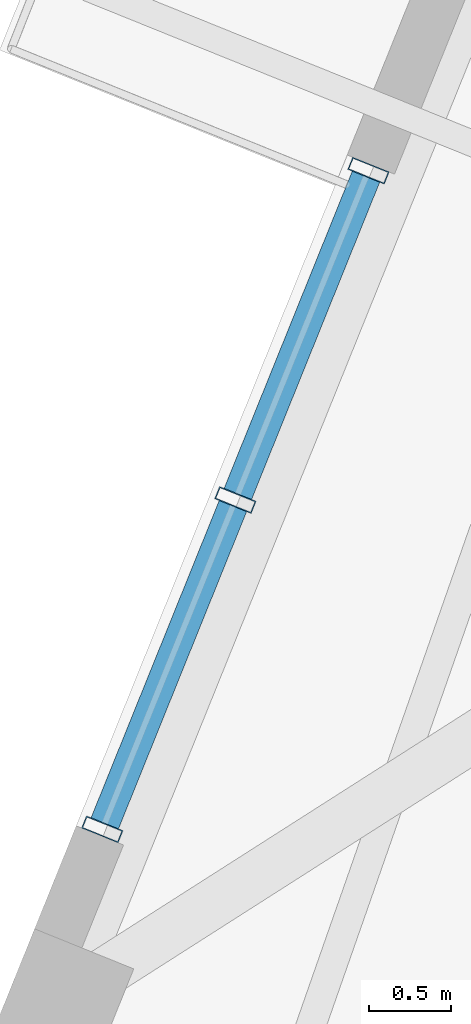
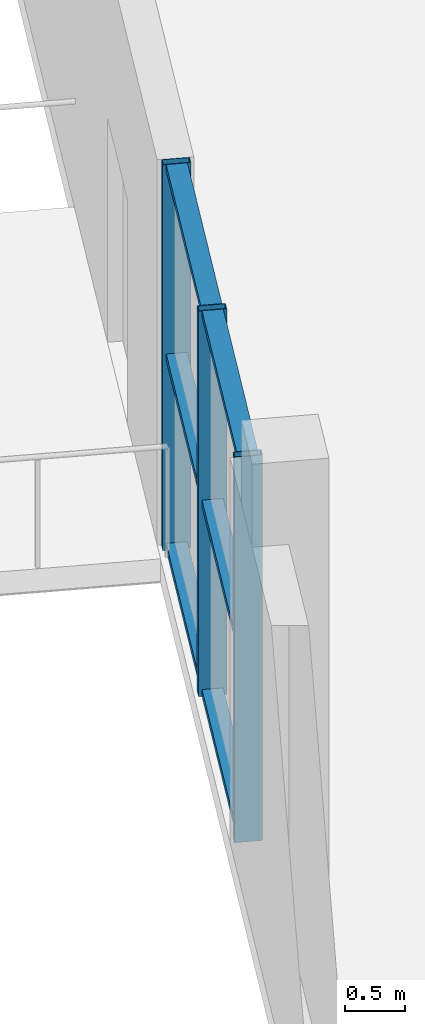
# One storey, part 4 of 12: 9 members, 1 element without a shape of its own.
"""IFC4 building model written with IfcOpenShell, lengths in metres."""

from ifc_helpers import new_model, si_unit, direction, frame, origin, origin_2d, place, context, subcontext, project, spatial, hollow_rectangle, extrude, source, transform, mapped, material, layer, layer_set, material_profile, profile_set, type_object, element, aggregate, save


model = new_model("IFC4")

# Units and contexts
model_context = context("Model", 3, precision=1e-05, world=origin(), true_north=direction((0.0, 1.0)))
body_context = subcontext(model_context, "Body", "Model", "MODEL_VIEW")
ifc_project = project(units=[si_unit("LENGTHUNIT", "METRE"), si_unit("AREAUNIT", "SQUARE_METRE"), si_unit("VOLUMEUNIT", "CUBIC_METRE"), si_unit("PLANEANGLEUNIT", "RADIAN"), si_unit("MASSUNIT", "GRAM", prefix="KILO"), si_unit("THERMODYNAMICTEMPERATUREUNIT", "KELVIN")], contexts=[model_context])

# Site, building, storey
site_placement = place(None, origin())
site = spatial("IfcSite", under=ifc_project, at=site_placement, CompositionType="ELEMENT")
building_placement = place(site_placement, origin())
building = spatial("IfcBuilding", under=site, at=building_placement, Name="Kosmvard Interchange Tower", CompositionType="ELEMENT")
storey_placement = place(building_placement, frame((0.0, 0.0, 312.0)))
storey = spatial("IfcBuildingStorey", under=building, at=storey_placement, Name="L77", CompositionType="ELEMENT", Elevation=312.0)

# Curtain wall, members
ifc_material = material(Name="Architectural anodised aluminium", Category="aluminium")
ifc_layer = layer(ifc_material, 0.239990234375, Name="Architectural anodised aluminium")
ifc_layer_set = layer_set([ifc_layer], Name="Architectural anodised aluminium")
curtain_wall_type = type_object("IfcCurtainWallType", Name="CW-5 Public Observation Panorama Curtain Wall", PredefinedType="NOTDEFINED", material=ifc_layer_set)
curtain_wall_placement = place(storey_placement, origin())
curtain_wall = element("IfcCurtainWall", 1, at=curtain_wall_placement, inside=storey, type_object=curtain_wall_type, Name="L77 Observation Panorama Curtain Wall N", PredefinedType="NOTDEFINED")
ifc_material_profile_1 = material_profile(ifc_material, hollow_rectangle(XDim=0.239990234375, YDim=0.080078125, WallThickness=0.006103515625, at=origin_2d()), Name="CWM 240x80x6")
ifc_profile_set_1 = profile_set([ifc_material_profile_1], Name="Architectural anodised aluminium")
member_type_1 = type_object("IfcMemberType", Name="Lantern & Observation CW Mullion 240x80 Aluminium", PredefinedType="MULLION", material=ifc_profile_set_1)
shared_shape_1 = source(origin(), body_context, "Body", "SweptSolid", [
    extrude(hollow_rectangle(XDim=0.239990234375, YDim=0.080078125, WallThickness=0.006103515625, at=origin_2d()), origin(), (0.0, 0.0, 1.0), 3.949951171875),
])
member_1_placement = place(storey_placement, frame((-18.7099609375, 13.34033203125, 0.0), z_axis=(0.0, 0.0, 1.0), x_axis=(0.927183856711, -0.374606588108, 0.0)))
member_1 = element("IfcMember", 2, at=member_1_placement, type_object=member_type_1, Name="CW-5 mullion 1", PredefinedType="MULLION", context=body_context, shape_type="MappedRepresentation", body=[
    mapped(shared_shape_1, transform((0.0, 0.0, 0.0), scale=1.0)),
])
member_2_placement = place(storey_placement, frame((-19.519287109375, 11.337646484375, 0.0), z_axis=(0.0, 0.0, 1.0), x_axis=(0.927183856711, -0.374606588108, 0.0)))
member_2 = element("IfcMember", 3, at=member_2_placement, type_object=member_type_1, Name="CW-5 mullion 2", PredefinedType="MULLION", context=body_context, shape_type="MappedRepresentation", body=[
    mapped(shared_shape_1, transform((0.0, 0.0, 0.0), scale=1.0)),
])
member_3_placement = place(storey_placement, frame((-20.328369140625, 9.3349609375, 0.0), z_axis=(0.0, 0.0, 1.0), x_axis=(0.927183856711, -0.374606588108, 0.0)))
member_3 = element("IfcMember", 4, at=member_3_placement, type_object=member_type_1, Name="CW-5 mullion 3", PredefinedType="MULLION", context=body_context, shape_type="MappedRepresentation", body=[
    mapped(shared_shape_1, transform((0.0, 0.0, 0.0), scale=1.0)),
])
ifc_material_profile_2 = material_profile(ifc_material, hollow_rectangle(XDim=0.179931640625, YDim=0.070068359375, WallThickness=0.0048828125, at=origin_2d()), Name="CWT 180x70x5")
ifc_profile_set_2 = profile_set([ifc_material_profile_2], Name="Architectural anodised aluminium")
member_type_2 = type_object("IfcMemberType", Name="Heavy Lantern CW Transom 180x70 Aluminium", PredefinedType="USERDEFINED", material=ifc_profile_set_2)
shared_shape_2 = source(origin(), body_context, "Body", "SweptSolid", [
    extrude(hollow_rectangle(XDim=0.179931640625, YDim=0.070068359375, WallThickness=0.0048828125, at=origin_2d()), origin(), (0.0, 0.0, 1.0), 2.079833984375),
])
member_4_placement = place(storey_placement, frame((-18.72509765625, 13.30322265625, 0.034912109375), z_axis=(-0.374565910492, -0.927200290497, 0.0), x_axis=(0.927200290497, -0.374565910492, 0.0)))
member_4 = element("IfcMember", 5, at=member_4_placement, type_object=member_type_2, Name="CW-5 transom 1.1", ObjectType="TRANSOM", PredefinedType="USERDEFINED", context=body_context, shape_type="MappedRepresentation", body=[
    mapped(shared_shape_2, transform((0.0, 0.0, 0.0), scale=1.0)),
])
member_5_placement = place(storey_placement, frame((-18.72509765625, 13.30322265625, 1.97509765625), z_axis=(-0.374565910492, -0.927200290497, 0.0), x_axis=(0.927200290497, -0.374565910492, 0.0)))
member_5 = element("IfcMember", 6, at=member_5_placement, type_object=member_type_2, Name="CW-5 transom 1.2", ObjectType="TRANSOM", PredefinedType="USERDEFINED", context=body_context, shape_type="MappedRepresentation", body=[
    mapped(shared_shape_2, transform((0.0, 0.0, 0.0), scale=1.0)),
])
member_6_placement = place(storey_placement, frame((-18.72509765625, 13.30322265625, 3.9150390625), z_axis=(-0.374565910492, -0.927200290497, 0.0), x_axis=(0.927200290497, -0.374565910492, 0.0)))
member_6 = element("IfcMember", 7, at=member_6_placement, type_object=member_type_2, Name="CW-5 transom 1.3", ObjectType="TRANSOM", PredefinedType="USERDEFINED", context=body_context, shape_type="MappedRepresentation", body=[
    mapped(shared_shape_2, transform((0.0, 0.0, 0.0), scale=1.0)),
])
shared_shape_3 = source(origin(), body_context, "Body", "SweptSolid", [
    extrude(hollow_rectangle(XDim=0.179931640625, YDim=0.070068359375, WallThickness=0.0048828125, at=origin_2d()), origin(), (0.0, 0.0, 1.0), 2.080078125),
])
member_7_placement = place(storey_placement, frame((-19.5341796875, 11.300537109375, 0.034912109375), z_axis=(-0.374525148083, -0.927216756456, 0.0), x_axis=(0.927216756456, -0.374525148083, 0.0)))
member_7 = element("IfcMember", 8, at=member_7_placement, type_object=member_type_2, Name="CW-5 transom 2.1", ObjectType="TRANSOM", PredefinedType="USERDEFINED", context=body_context, shape_type="MappedRepresentation", body=[
    mapped(shared_shape_3, transform((0.0, 0.0, 0.0), scale=1.0)),
])
member_8_placement = place(storey_placement, frame((-19.5341796875, 11.300537109375, 1.97509765625), z_axis=(-0.374525148083, -0.927216756456, 0.0), x_axis=(0.927216756456, -0.374525148083, 0.0)))
member_8 = element("IfcMember", 9, at=member_8_placement, type_object=member_type_2, Name="CW-5 transom 2.2", ObjectType="TRANSOM", PredefinedType="USERDEFINED", context=body_context, shape_type="MappedRepresentation", body=[
    mapped(shared_shape_3, transform((0.0, 0.0, 0.0), scale=1.0)),
])
member_9_placement = place(storey_placement, frame((-19.5341796875, 11.300537109375, 3.9150390625), z_axis=(-0.374525148083, -0.927216756456, 0.0), x_axis=(0.927216756456, -0.374525148083, 0.0)))
member_9 = element("IfcMember", 10, at=member_9_placement, type_object=member_type_2, Name="CW-5 transom 2.3", ObjectType="TRANSOM", PredefinedType="USERDEFINED", context=body_context, shape_type="MappedRepresentation", body=[
    mapped(shared_shape_3, transform((0.0, 0.0, 0.0), scale=1.0)),
])
aggregate(curtain_wall, [member_1, member_2, member_3, member_4, member_5, member_6, member_7, member_8, member_9])

save(model, "model.ifc")
